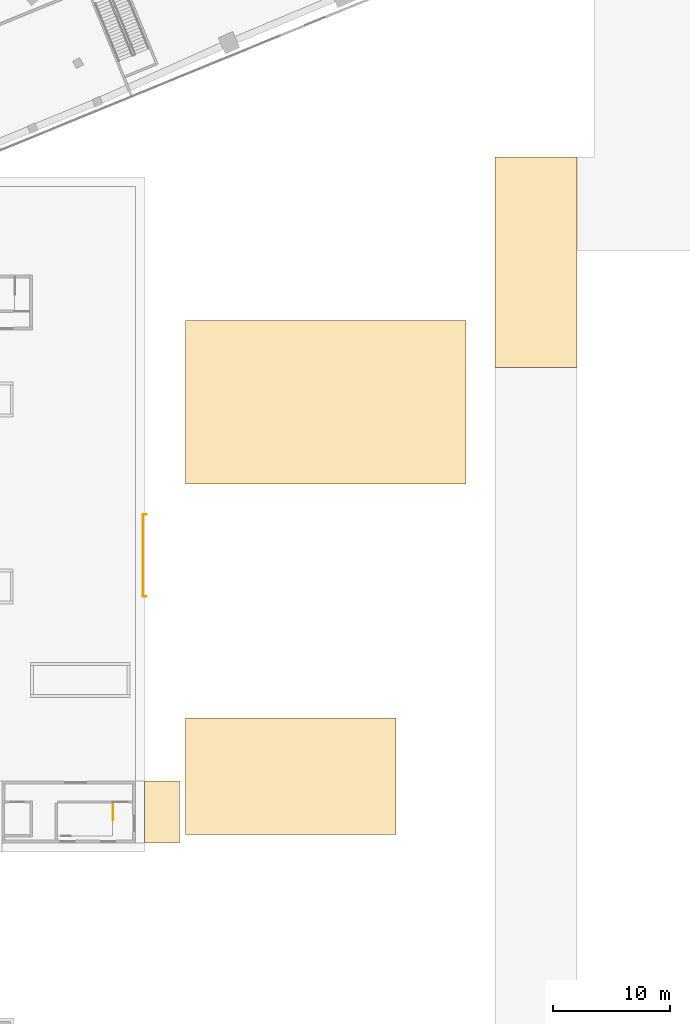
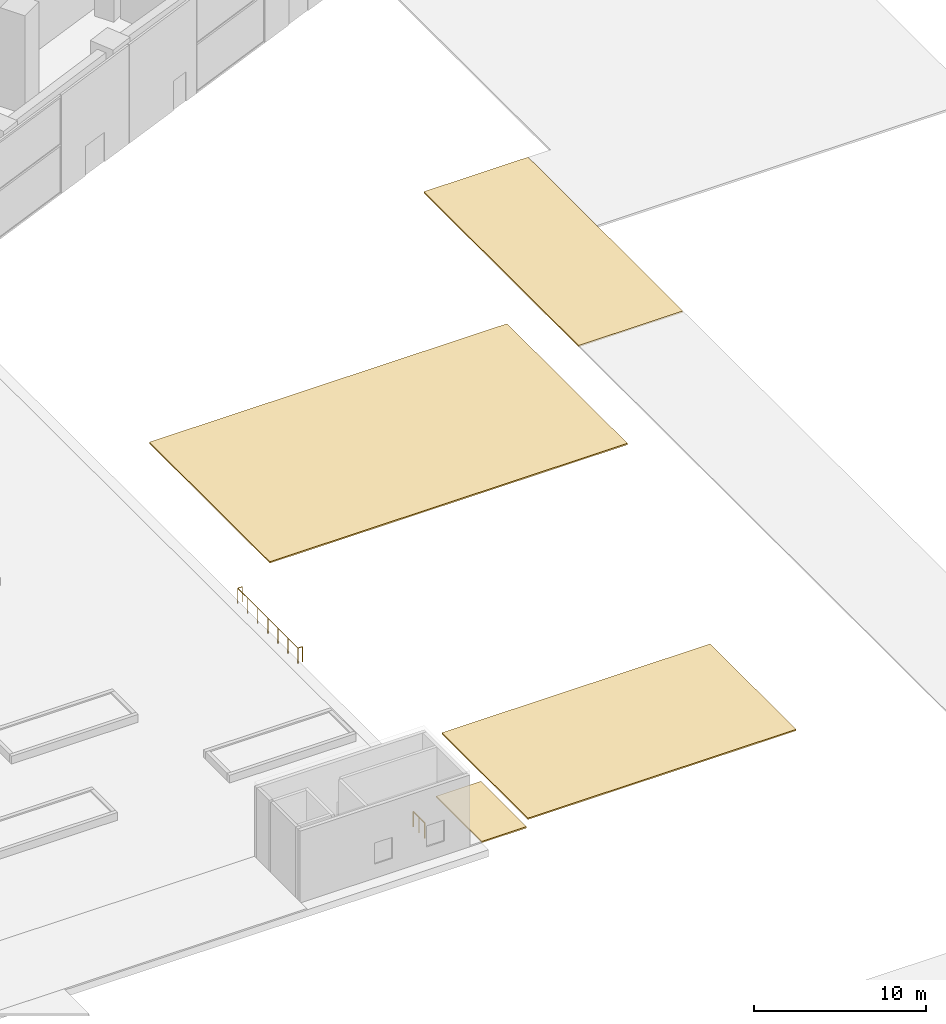
# One storey, part 47 of 60: 4 coverings, 2 railings.
"""IFC4 building model written with IfcOpenShell, lengths in metres."""

from ifc_helpers import new_model, si_unit, direction, frame, origin, origin_2d, place, context, subcontext, project, spatial, polyline, circle, outline, extrude, material, layer, layer_set, type_object, element, save


model = new_model("IFC4")

# Units and contexts
model_context = context("Model", 3, precision=1e-05, world=origin(), true_north=direction((0.0, 1.0)))
body_context = subcontext(model_context, "Body", "Model", "MODEL_VIEW")
ifc_project = project(units=[si_unit("LENGTHUNIT", "METRE"), si_unit("AREAUNIT", "SQUARE_METRE"), si_unit("VOLUMEUNIT", "CUBIC_METRE"), si_unit("PLANEANGLEUNIT", "RADIAN"), si_unit("MASSUNIT", "GRAM", prefix="KILO")], contexts=[model_context])

# Site, building, storey
site_placement = place(None, origin())
site = spatial("IfcSite", under=ifc_project, at=site_placement, CompositionType="ELEMENT")
building_placement = place(site_placement, origin())
building = spatial("IfcBuilding", under=site, at=building_placement, Name="Stone Belt Terrace Tower", CompositionType="ELEMENT")
storey_placement = place(building_placement, origin())
storey = spatial("IfcBuildingStorey", under=building, at=storey_placement, Name="L00", CompositionType="ELEMENT", Elevation=0.0)

# Railings
ifc_material_1 = material(Name="Structural steel C345", Category="steel")
railing_type = type_object("IfcRailingType", Name="Car park guard 1100", PredefinedType="GUARDRAIL", material=ifc_material_1)
railing_1_placement = place(storey_placement, frame((30.800048828125, -47.419921875, 0.0)))
element("IfcRailing", 1, at=railing_1_placement, inside=storey, type_object=railing_type, Name="L00 CS2 top well guard 1", PredefinedType="GUARDRAIL", context=body_context, shape_type="SweptSolid", body=[
    extrude(circle(Radius=0.02392578125, at=origin_2d()), frame((0.0, 0.0, 1.076171875), z_axis=(0.0, -1.0, 0.0), x_axis=(1.0, 0.0, 0.0)), (0.0, 0.0, 1.0), 1.330078125),
    extrude(circle(Radius=0.02099609375, at=origin_2d()), origin(), (0.0, 0.0, 1.0), 1.052001953125),
    extrude(circle(Radius=0.02099609375, at=origin_2d()), frame((0.0, -0.6650390625, 0.0)), (0.0, 0.0, 1.0), 1.052001953125),
    extrude(circle(Radius=0.02099609375, at=origin_2d()), frame((0.0, -1.330078125, 0.0)), (0.0, 0.0, 1.0), 1.052001953125),
])
railing_2_placement = place(storey_placement, frame((33.64990234375, -29.60009765625, -0.10009765625)))
element("IfcRailing", 2, at=railing_2_placement, inside=storey, type_object=railing_type, Name="Entrance portal deck-edge guard", PredefinedType="GUARDRAIL", context=body_context, shape_type="SweptSolid", body=[
    extrude(circle(Radius=0.02392578125, at=origin_2d()), frame((0.0, 0.0, 1.076171875), z_axis=(-1.0, 0.0, 0.0), x_axis=(0.0, -1.0, 0.0)), (0.0, 0.0, 1.0), 0.2998046875),
    extrude(circle(Radius=0.02392578125, at=origin_2d()), frame((-0.2998046875, 0.0, 1.076171875), z_axis=(0.0, 1.0, 0.0), x_axis=(-1.0, 0.0, 0.0)), (0.0, 0.0, 1.0), 7.0),
    extrude(circle(Radius=0.02392578125, at=origin_2d()), frame((-0.2998046875, 7.0, 1.076171875), z_axis=(1.0, 0.0, 0.0), x_axis=(0.0, 1.0, 0.0)), (0.0, 0.0, 1.0), 0.2998046875),
    extrude(circle(Radius=0.02099609375, at=origin_2d()), origin(), (0.0, 0.0, 1.0), 1.052001953125),
    extrude(circle(Radius=0.02099609375, at=origin_2d()), frame((-0.2998046875, 0.0, 0.0)), (0.0, 0.0, 1.0), 1.052001953125),
    extrude(circle(Radius=0.02099609375, at=origin_2d()), frame((-0.2998046875, 1.166748046875, 0.0)), (0.0, 0.0, 1.0), 1.052001953125),
    extrude(circle(Radius=0.02099609375, at=origin_2d()), frame((-0.2998046875, 2.333251953125, 0.0)), (0.0, 0.0, 1.0), 1.052001953125),
    extrude(circle(Radius=0.02099609375, at=origin_2d()), frame((-0.2998046875, 3.5, 0.0)), (0.0, 0.0, 1.0), 1.052001953125),
    extrude(circle(Radius=0.02099609375, at=origin_2d()), frame((-0.2998046875, 4.666748046875, 0.0)), (0.0, 0.0, 1.0), 1.052001953125),
    extrude(circle(Radius=0.02099609375, at=origin_2d()), frame((-0.2998046875, 5.833251953125, 0.0)), (0.0, 0.0, 1.0), 1.052001953125),
    extrude(circle(Radius=0.02099609375, at=origin_2d()), frame((-0.2998046875, 7.0, 0.0)), (0.0, 0.0, 1.0), 1.052001953125),
    extrude(circle(Radius=0.02099609375, at=origin_2d()), frame((0.0, 7.0, 0.0)), (0.0, 0.0, 1.0), 1.052001953125),
])

# Coverings
ifc_material_2 = material(Name="Granite paving", Category="masonry")
ifc_layer_1 = layer(ifc_material_2, 0.10009765625)
ifc_layer_set_1 = layer_set([ifc_layer_1], Name="Paving covering 100")
covering_type_1 = type_object("IfcCoveringType", Name="Paving covering 100", PredefinedType="FLOORING", material=ifc_layer_set_1)
covering_1_placement = place(storey_placement, frame((0.0, 0.0, -0.10009765625)))
element("IfcCovering", 3, at=covering_1_placement, inside=storey, type_object=covering_type_1, Name="Garden east court paving", PredefinedType="FLOORING", context=body_context, shape_type="SweptSolid", body=[
    extrude(outline(polyline([(37.0, -20.0), (61.0, -20.0), (61.0, -6.0), (37.0, -6.0), (37.0, -20.0)])), origin(), (0.0, 0.0, 1.0), 0.10009765625),
])
covering_2_placement = place(storey_placement, frame((0.0, 0.0, -0.10009765625)))
element("IfcCovering", 4, at=covering_2_placement, inside=storey, type_object=covering_type_1, Name="Garden path paving", PredefinedType="FLOORING", context=body_context, shape_type="SweptSolid", body=[
    extrude(outline(polyline([(33.5, -50.699951171875), (36.5, -50.699951171875), (36.5, -45.39990234375), (33.5, -45.39990234375), (33.5, -50.699951171875)])), origin(), (0.0, 0.0, 1.0), 0.10009765625),
])
covering_3_placement = place(storey_placement, frame((0.0, 0.0, -0.10009765625)))
element("IfcCovering", 5, at=covering_3_placement, inside=storey, type_object=covering_type_1, Name="Bicycle parking paving", PredefinedType="FLOORING", context=body_context, shape_type="SweptSolid", body=[
    extrude(outline(polyline([(37.0, -50.0), (55.0, -50.0), (55.0, -40.0), (37.0, -40.0), (37.0, -50.0)])), origin(), (0.0, 0.0, 1.0), 0.10009765625),
])
ifc_material_3 = material(Name="Asphalt paving")
ifc_layer_2 = layer(ifc_material_3, 0.10009765625)
ifc_layer_set_2 = layer_set([ifc_layer_2], Name="Road covering 100")
covering_type_2 = type_object("IfcCoveringType", Name="Road covering 100", PredefinedType="FLOORING", material=ifc_layer_set_2)
covering_4_placement = place(storey_placement, frame((0.0, 0.0, -0.10009765625)))
element("IfcCovering", 6, at=covering_4_placement, inside=storey, type_object=covering_type_2, Name="Car park access road north", PredefinedType="FLOORING", context=body_context, shape_type="SweptSolid", body=[
    extrude(outline(polyline([(63.5, -10.0), (70.5, -10.0), (70.5, 8.0), (63.5, 8.0), (63.5, -10.0)])), origin(), (0.0, 0.0, 1.0), 0.10009765625),
])

save(model, "model.ifc")
